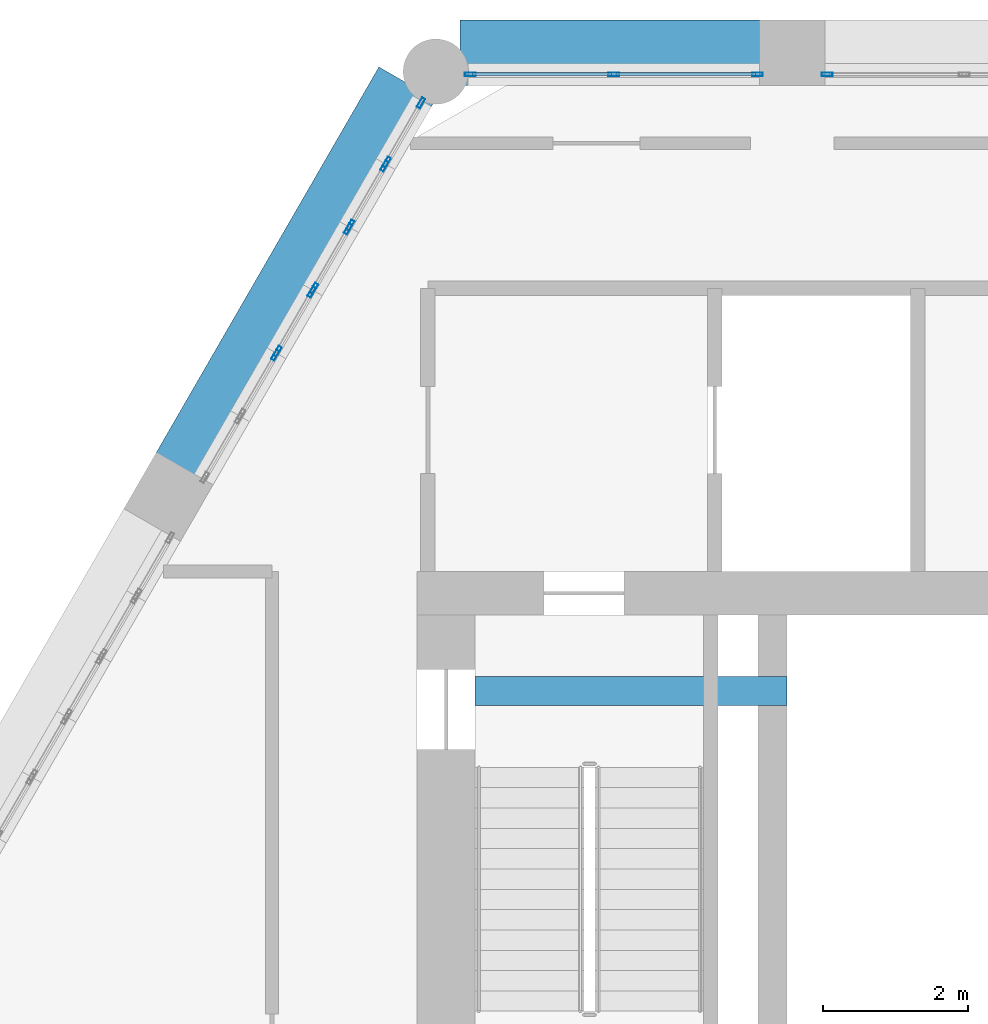
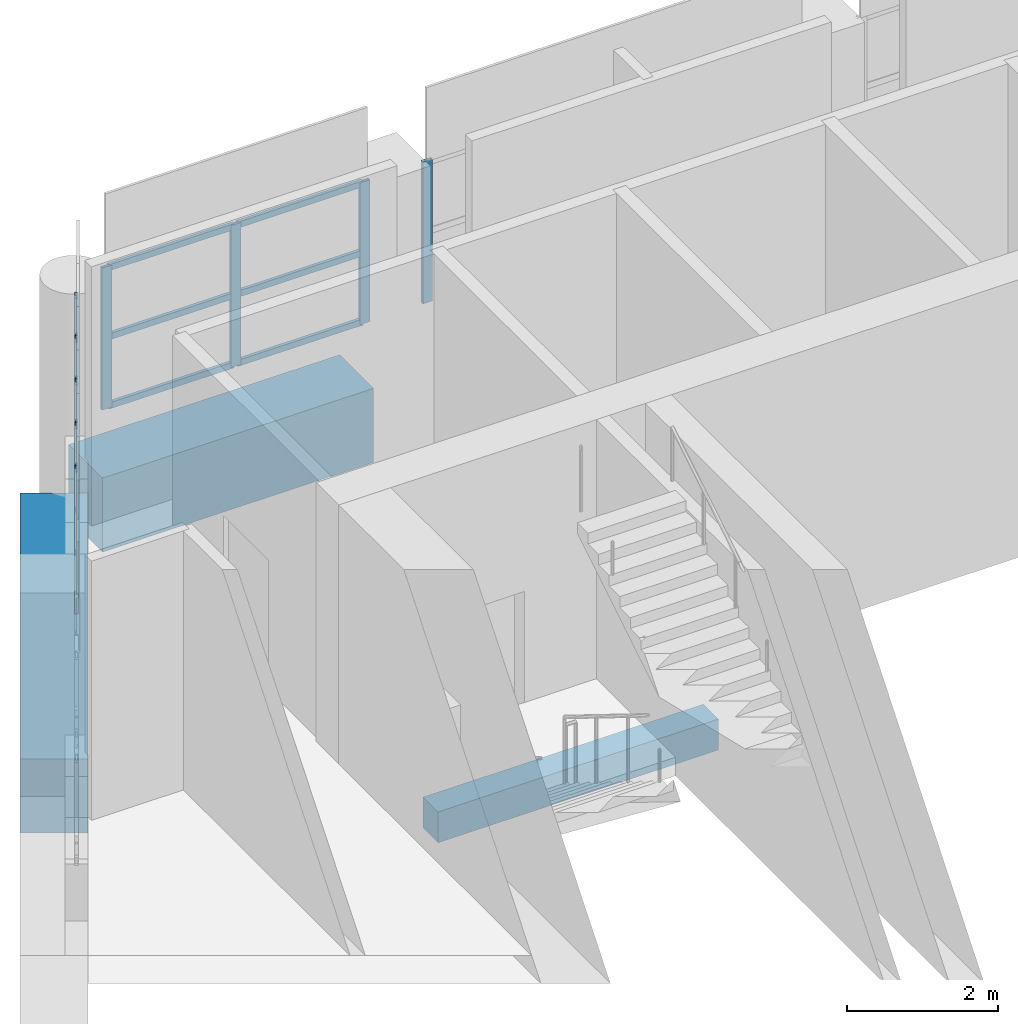
# One storey, part 7 of 23: 19 members, 3 beams, 7 elements without a shape of their own.
"""IFC4 building model written with IfcOpenShell, lengths in metres."""

from ifc_helpers import new_model, si_unit, direction, frame, origin, origin_2d, place, context, subcontext, project, spatial, rectangle, hollow_rectangle, extrude, material, material_profile, profile_set, type_object, element, aggregate, save


model = new_model("IFC4")

# Units and contexts
model_context = context("Model", 3, precision=1e-05, world=origin(), true_north=direction((0.0, 1.0)))
body_context = subcontext(model_context, "Body", "Model", "MODEL_VIEW")
ifc_project = project(units=[si_unit("LENGTHUNIT", "METRE"), si_unit("AREAUNIT", "SQUARE_METRE"), si_unit("VOLUMEUNIT", "CUBIC_METRE"), si_unit("PLANEANGLEUNIT", "RADIAN"), si_unit("MASSUNIT", "GRAM", prefix="KILO")], contexts=[model_context])

# Site, building, storey
site_placement = place(None, origin())
site = spatial("IfcSite", under=ifc_project, at=site_placement, CompositionType="ELEMENT")
building_placement = place(site_placement, origin())
building = spatial("IfcBuilding", under=site, at=building_placement, Name="Ostrander Bayou Hotel Tower", CompositionType="ELEMENT")
storey_placement = place(building_placement, frame((0.0, 0.0, 279.5)))
storey = spatial("IfcBuildingStorey", under=building, at=storey_placement, Name="L69", CompositionType="ELEMENT", Elevation=279.5)

# Curtain wall, member
ifc_material_1 = material(Name="Aluminium and clear glass", Category="aluminium")
curtain_wall_type = type_object("IfcCurtainWallType", Name="CW-CROWN glazed wall", PredefinedType="NOTDEFINED", material=ifc_material_1)
curtain_wall_1_placement = place(storey_placement, origin())
curtain_wall_1 = element("IfcCurtainWall", 1, at=curtain_wall_1_placement, inside=storey, type_object=curtain_wall_type, Name="CW-CROWN L69:N-2", PredefinedType="NOTDEFINED")
ifc_material_2 = material(Name="Aluminium", Category="aluminium")
ifc_material_profile_1 = material_profile(ifc_material_2, hollow_rectangle(XDim=0.050048828125, YDim=0.14990234375, WallThickness=0.00390625, at=origin_2d()))
ifc_profile_set_1 = profile_set([ifc_material_profile_1], Name="Aluminium")
member_type_1 = type_object("IfcMemberType", Name="CW-CR mullion 50 x 150 mm", PredefinedType="MULLION", material=ifc_profile_set_1)
member_1_placement = place(storey_placement, frame((-2.849365234375, 16.550048828125, 1.0), z_axis=(0.0, 0.0, 1.0), x_axis=(0.0, -1.0, 0.0)))
member_1 = element("IfcMember", 2, at=member_1_placement, type_object=member_type_1, Name="CW-CROWN mullion 4", PredefinedType="MULLION", context=body_context, shape_type="SweptSolid", body=[
    extrude(hollow_rectangle(XDim=0.050048828125, YDim=0.14990234375, WallThickness=0.00390625, at=origin_2d()), origin(), (0.0, 0.0, 1.0), 2.300048828125),
])
aggregate(curtain_wall_1, [member_1])

# Curtain wall, members
curtain_wall_2_placement = place(storey_placement, origin())
curtain_wall_2 = element("IfcCurtainWall", 3, at=curtain_wall_2_placement, inside=storey, type_object=curtain_wall_type, Name="CW-CROWN L69:N-3", PredefinedType="NOTDEFINED")
member_2_placement = place(storey_placement, frame((-3.809326171875, 16.550048828125, 1.0), z_axis=(0.0, 0.0, 1.0), x_axis=(0.0, -1.0, 0.0)))
member_2 = element("IfcMember", 4, at=member_2_placement, type_object=member_type_1, Name="CW-CROWN mullion 1", PredefinedType="MULLION", context=body_context, shape_type="SweptSolid", body=[
    extrude(hollow_rectangle(XDim=0.050048828125, YDim=0.14990234375, WallThickness=0.00390625, at=origin_2d()), origin(), (0.0, 0.0, 1.0), 2.300048828125),
])
member_3_placement = place(storey_placement, frame((-5.78759765625, 16.550048828125, 1.0), z_axis=(0.0, 0.0, 1.0), x_axis=(0.0, -1.0, 0.0)))
member_3 = element("IfcMember", 5, at=member_3_placement, type_object=member_type_1, Name="CW-CROWN mullion 2", PredefinedType="MULLION", context=body_context, shape_type="SweptSolid", body=[
    extrude(hollow_rectangle(XDim=0.050048828125, YDim=0.14990234375, WallThickness=0.00390625, at=origin_2d()), origin(), (0.0, 0.0, 1.0), 2.300048828125),
])
member_4_placement = place(storey_placement, frame((-7.765869140625, 16.550048828125, 1.0), z_axis=(0.0, 0.0, 1.0), x_axis=(0.0, -1.0, 0.0)))
member_4 = element("IfcMember", 6, at=member_4_placement, type_object=member_type_1, Name="CW-CROWN mullion 3", PredefinedType="MULLION", context=body_context, shape_type="SweptSolid", body=[
    extrude(hollow_rectangle(XDim=0.050048828125, YDim=0.14990234375, WallThickness=0.00390625, at=origin_2d()), origin(), (0.0, 0.0, 1.0), 2.300048828125),
])

curtain_wall_3_placement = place(storey_placement, origin())
curtain_wall_3 = element("IfcCurtainWall", 7, at=curtain_wall_3_placement, inside=storey, type_object=curtain_wall_type, Name="CW-CROWN L69:NW-1-1", PredefinedType="NOTDEFINED")
member_5_placement = place(storey_placement, frame((-8.447021484375, 16.156494140625, 1.0), z_axis=(0.0, 0.0, 1.0), x_axis=(0.866026229865, -0.499998569184, 0.0)))
member_5 = element("IfcMember", 8, at=member_5_placement, type_object=member_type_1, Name="CW-CROWN mullion 1", PredefinedType="MULLION", context=body_context, shape_type="SweptSolid", body=[
    extrude(hollow_rectangle(XDim=0.050048828125, YDim=0.14990234375, WallThickness=0.00390625, at=origin_2d()), origin(), (0.0, 0.0, 1.0), 2.300048828125),
])
member_6_placement = place(storey_placement, frame((-8.918701171875, 15.339599609375, 1.0), z_axis=(0.0, 0.0, 1.0), x_axis=(0.866026229865, -0.499998569184, 0.0)))
member_6 = element("IfcMember", 9, at=member_6_placement, type_object=member_type_1, Name="CW-CROWN mullion 2", PredefinedType="MULLION", context=body_context, shape_type="SweptSolid", body=[
    extrude(hollow_rectangle(XDim=0.050048828125, YDim=0.14990234375, WallThickness=0.00390625, at=origin_2d()), origin(), (0.0, 0.0, 1.0), 2.300048828125),
])
aggregate(curtain_wall_3, [member_5, member_6])

curtain_wall_4_placement = place(storey_placement, origin())
curtain_wall_4 = element("IfcCurtainWall", 10, at=curtain_wall_4_placement, inside=storey, type_object=curtain_wall_type, Name="CW-CROWN L69:NW-1-2", PredefinedType="NOTDEFINED")
member_7_placement = place(storey_placement, frame((-8.948486328125, 15.28759765625, 1.0), z_axis=(0.0, 0.0, 1.0), x_axis=(0.866001306597, -0.50004173523, 0.0)))
member_7 = element("IfcMember", 11, at=member_7_placement, type_object=member_type_1, Name="CW-CROWN mullion 1", PredefinedType="MULLION", context=body_context, shape_type="SweptSolid", body=[
    extrude(hollow_rectangle(XDim=0.050048828125, YDim=0.14990234375, WallThickness=0.00390625, at=origin_2d()), origin(), (0.0, 0.0, 1.0), 2.300048828125),
])
member_8_placement = place(storey_placement, frame((-9.420166015625, 14.470947265625, 1.0), z_axis=(0.0, 0.0, 1.0), x_axis=(0.866001306597, -0.50004173523, 0.0)))
member_8 = element("IfcMember", 12, at=member_8_placement, type_object=member_type_1, Name="CW-CROWN mullion 2", PredefinedType="MULLION", context=body_context, shape_type="SweptSolid", body=[
    extrude(hollow_rectangle(XDim=0.050048828125, YDim=0.14990234375, WallThickness=0.00390625, at=origin_2d()), origin(), (0.0, 0.0, 1.0), 2.300048828125),
])
aggregate(curtain_wall_4, [member_7, member_8])

curtain_wall_5_placement = place(storey_placement, origin())
curtain_wall_5 = element("IfcCurtainWall", 13, at=curtain_wall_5_placement, inside=storey, type_object=curtain_wall_type, Name="CW-CROWN L69:NW-1-3", PredefinedType="NOTDEFINED")
member_9_placement = place(storey_placement, frame((-9.4501953125, 14.4189453125, 1.0), z_axis=(0.0, 0.0, 1.0), x_axis=(0.866026229865, -0.499998569184, 0.0)))
member_9 = element("IfcMember", 14, at=member_9_placement, type_object=member_type_1, Name="CW-CROWN mullion 1", PredefinedType="MULLION", context=body_context, shape_type="SweptSolid", body=[
    extrude(hollow_rectangle(XDim=0.050048828125, YDim=0.14990234375, WallThickness=0.00390625, at=origin_2d()), origin(), (0.0, 0.0, 1.0), 2.300048828125),
])
member_10_placement = place(storey_placement, frame((-9.921875, 13.60205078125, 1.0), z_axis=(0.0, 0.0, 1.0), x_axis=(0.866026229865, -0.499998569184, 0.0)))
member_10 = element("IfcMember", 15, at=member_10_placement, type_object=member_type_1, Name="CW-CROWN mullion 2", PredefinedType="MULLION", context=body_context, shape_type="SweptSolid", body=[
    extrude(hollow_rectangle(XDim=0.050048828125, YDim=0.14990234375, WallThickness=0.00390625, at=origin_2d()), origin(), (0.0, 0.0, 1.0), 2.300048828125),
])
aggregate(curtain_wall_5, [member_9, member_10])

curtain_wall_6_placement = place(storey_placement, origin())
curtain_wall_6 = element("IfcCurtainWall", 16, at=curtain_wall_6_placement, inside=storey, type_object=curtain_wall_type, Name="CW-CROWN L69:NW-1-4", PredefinedType="NOTDEFINED")
member_11_placement = place(storey_placement, frame((-9.951904296875, 13.550048828125, 1.0), z_axis=(0.0, 0.0, 1.0), x_axis=(0.866069391736, -0.499923802893, 0.0)))
member_11 = element("IfcMember", 17, at=member_11_placement, type_object=member_type_1, Name="CW-CROWN mullion 1", PredefinedType="MULLION", context=body_context, shape_type="SweptSolid", body=[
    extrude(hollow_rectangle(XDim=0.050048828125, YDim=0.14990234375, WallThickness=0.00390625, at=origin_2d()), origin(), (0.0, 0.0, 1.0), 2.300048828125),
])
member_12_placement = place(storey_placement, frame((-10.42333984375, 12.7333984375, 1.0), z_axis=(0.0, 0.0, 1.0), x_axis=(0.866069391736, -0.499923802893, 0.0)))
member_12 = element("IfcMember", 18, at=member_12_placement, type_object=member_type_1, Name="CW-CROWN mullion 2", PredefinedType="MULLION", context=body_context, shape_type="SweptSolid", body=[
    extrude(hollow_rectangle(XDim=0.050048828125, YDim=0.14990234375, WallThickness=0.00390625, at=origin_2d()), origin(), (0.0, 0.0, 1.0), 2.300048828125),
])
aggregate(curtain_wall_6, [member_11, member_12])

# Curtain wall, member
curtain_wall_7_placement = place(storey_placement, origin())
curtain_wall_7 = element("IfcCurtainWall", 19, at=curtain_wall_7_placement, inside=storey, type_object=curtain_wall_type, Name="CW-CROWN L69:NW-1-5", PredefinedType="NOTDEFINED")
member_13_placement = place(storey_placement, frame((-10.453369140625, 12.681396484375, 1.0), z_axis=(0.0, 0.0, 1.0), x_axis=(0.866001306597, -0.50004173523, 0.0)))
member_13 = element("IfcMember", 20, at=member_13_placement, type_object=member_type_1, Name="CW-CROWN mullion 1", PredefinedType="MULLION", context=body_context, shape_type="SweptSolid", body=[
    extrude(hollow_rectangle(XDim=0.050048828125, YDim=0.14990234375, WallThickness=0.00390625, at=origin_2d()), origin(), (0.0, 0.0, 1.0), 2.300048828125),
])
aggregate(curtain_wall_7, [member_13])

# Member
ifc_material_3 = material(Name="Aluminium", Category="aluminium")
ifc_material_profile_2 = material_profile(ifc_material_3, hollow_rectangle(XDim=0.050048828125, YDim=0.10009765625, WallThickness=0.00390625, at=origin_2d()))
ifc_profile_set_2 = profile_set([ifc_material_profile_2], Name="Aluminium")
member_type_2 = type_object("IfcMemberType", Name="CW-CR transom 50 x 100 mm", PredefinedType="USERDEFINED", material=ifc_profile_set_2)
member_14_placement = place(storey_placement, frame((-3.83935546875, 16.550048828125, 1.030029296875), z_axis=(-1.0, 0.0, 0.0), x_axis=(0.0, -1.0, 0.0)))
member_14 = element("IfcMember", 21, at=member_14_placement, type_object=member_type_2, Name="CW-CROWN transom 1.1", ObjectType="TRANSOM", PredefinedType="USERDEFINED", context=body_context, shape_type="SweptSolid", body=[
    extrude(hollow_rectangle(XDim=0.050048828125, YDim=0.10009765625, WallThickness=0.00390625, at=origin_2d()), origin(), (0.0, 0.0, 1.0), 1.918212890625),
])

member_15_placement = place(storey_placement, frame((-3.83935546875, 16.550048828125, 2.14990234375), z_axis=(-1.0, 0.0, 0.0), x_axis=(0.0, -1.0, 0.0)))
member_15 = element("IfcMember", 22, at=member_15_placement, type_object=member_type_2, Name="CW-CROWN transom 1.2", ObjectType="TRANSOM", PredefinedType="USERDEFINED", context=body_context, shape_type="SweptSolid", body=[
    extrude(hollow_rectangle(XDim=0.050048828125, YDim=0.10009765625, WallThickness=0.00390625, at=origin_2d()), origin(), (0.0, 0.0, 1.0), 1.918212890625),
])

member_16_placement = place(storey_placement, frame((-3.83935546875, 16.550048828125, 3.27001953125), z_axis=(-1.0, 0.0, 0.0), x_axis=(0.0, -1.0, 0.0)))
member_16 = element("IfcMember", 23, at=member_16_placement, type_object=member_type_2, Name="CW-CROWN transom 1.3", ObjectType="TRANSOM", PredefinedType="USERDEFINED", context=body_context, shape_type="SweptSolid", body=[
    extrude(hollow_rectangle(XDim=0.050048828125, YDim=0.10009765625, WallThickness=0.00390625, at=origin_2d()), origin(), (0.0, 0.0, 1.0), 1.918212890625),
])

member_17_placement = place(storey_placement, frame((-5.817626953125, 16.550048828125, 1.030029296875), z_axis=(-1.0, 0.0, 0.0), x_axis=(0.0, -1.0, 0.0)))
member_17 = element("IfcMember", 24, at=member_17_placement, type_object=member_type_2, Name="CW-CROWN transom 2.1", ObjectType="TRANSOM", PredefinedType="USERDEFINED", context=body_context, shape_type="SweptSolid", body=[
    extrude(hollow_rectangle(XDim=0.050048828125, YDim=0.10009765625, WallThickness=0.00390625, at=origin_2d()), origin(), (0.0, 0.0, 1.0), 1.918212890625),
])

member_18_placement = place(storey_placement, frame((-5.817626953125, 16.550048828125, 2.14990234375), z_axis=(-1.0, 0.0, 0.0), x_axis=(0.0, -1.0, 0.0)))
member_18 = element("IfcMember", 25, at=member_18_placement, type_object=member_type_2, Name="CW-CROWN transom 2.2", ObjectType="TRANSOM", PredefinedType="USERDEFINED", context=body_context, shape_type="SweptSolid", body=[
    extrude(hollow_rectangle(XDim=0.050048828125, YDim=0.10009765625, WallThickness=0.00390625, at=origin_2d()), origin(), (0.0, 0.0, 1.0), 1.918212890625),
])

member_19_placement = place(storey_placement, frame((-5.817626953125, 16.550048828125, 3.27001953125), z_axis=(-1.0, 0.0, 0.0), x_axis=(0.0, -1.0, 0.0)))
member_19 = element("IfcMember", 26, at=member_19_placement, type_object=member_type_2, Name="CW-CROWN transom 2.3", ObjectType="TRANSOM", PredefinedType="USERDEFINED", context=body_context, shape_type="SweptSolid", body=[
    extrude(hollow_rectangle(XDim=0.050048828125, YDim=0.10009765625, WallThickness=0.00390625, at=origin_2d()), origin(), (0.0, 0.0, 1.0), 1.918212890625),
])

aggregate(curtain_wall_2, [member_2, member_3, member_4, member_14, member_15, member_16, member_17, member_18, member_19])

# Beams
ifc_material_4 = material(Name="Concrete f'c 60 MPa", Category="concrete")
ifc_material_profile_3 = material_profile(ifc_material_4, rectangle(XDim=0.39990234375, YDim=0.5, at=origin_2d()))
ifc_profile_set_3 = profile_set([ifc_material_profile_3], Name="Concrete f'c 60 MPa")
beam_type_1 = type_object("IfcBeamType", Name="LD1 landing support beam 400 x 500 mm f'c 60 MPa", PredefinedType="BEAM", material=ifc_profile_set_3)
beam_1_placement = place(storey_placement, frame((-7.699951171875, 8.050048828125, -0.550048828125), z_axis=(1.0, 0.0, 0.0), x_axis=(0.0, 1.0, 0.0)))
element("IfcBeam", 27, at=beam_1_placement, inside=storey, type_object=beam_type_1, Name="LD1 L69 LANDING BEAM 001", PredefinedType="BEAM", context=body_context, shape_type="SweptSolid", body=[
    extrude(rectangle(XDim=0.39990234375, YDim=0.5, at=origin_2d()), origin(), (0.0, 0.0, 1.0), 4.300048828125),
])
ifc_material_5 = material(Name="Concrete f'c 60 MPa", Category="concrete")
ifc_material_profile_4 = material_profile(ifc_material_5, rectangle(XDim=0.89990234375, YDim=1.199951171875, at=origin_2d()))
ifc_profile_set_4 = profile_set([ifc_material_profile_4], Name="Concrete f'c 60 MPa")
beam_type_2 = type_object("IfcBeamType", Name="SP4 spandrel beam 900 x 1200 mm f'c 60 MPa", PredefinedType="SPANDREL", material=ifc_profile_set_4)
beam_2_placement = place(storey_placement, frame((-3.74951171875, 16.85009765625, -0.60009765625), z_axis=(-1.0, 0.0, 0.0), x_axis=(0.0, -1.0, 0.0)))
element("IfcBeam", 28, at=beam_2_placement, inside=storey, type_object=beam_type_2, Name="SP4 L69 N-3", PredefinedType="SPANDREL", context=body_context, shape_type="SweptSolid", body=[
    extrude(rectangle(XDim=0.89990234375, YDim=1.199951171875, at=origin_2d()), origin(), (0.0, 0.0, 1.0), 4.15625),
])
beam_3_placement = place(storey_placement, frame((-8.63671875, 16.427978515625, -0.60009765625), z_axis=(-0.499984362083, -0.866034432152, 0.0), x_axis=(0.866034432152, -0.499984362083, 0.0)))
element("IfcBeam", 29, at=beam_3_placement, inside=storey, type_object=beam_type_2, Name="SP4 L69 NW-1", PredefinedType="SPANDREL", context=body_context, shape_type="SweptSolid", body=[
    extrude(rectangle(XDim=0.89990234375, YDim=1.199951171875, at=origin_2d()), origin(), (0.0, 0.0, 1.0), 6.159423828125),
])

save(model, "model.ifc")
